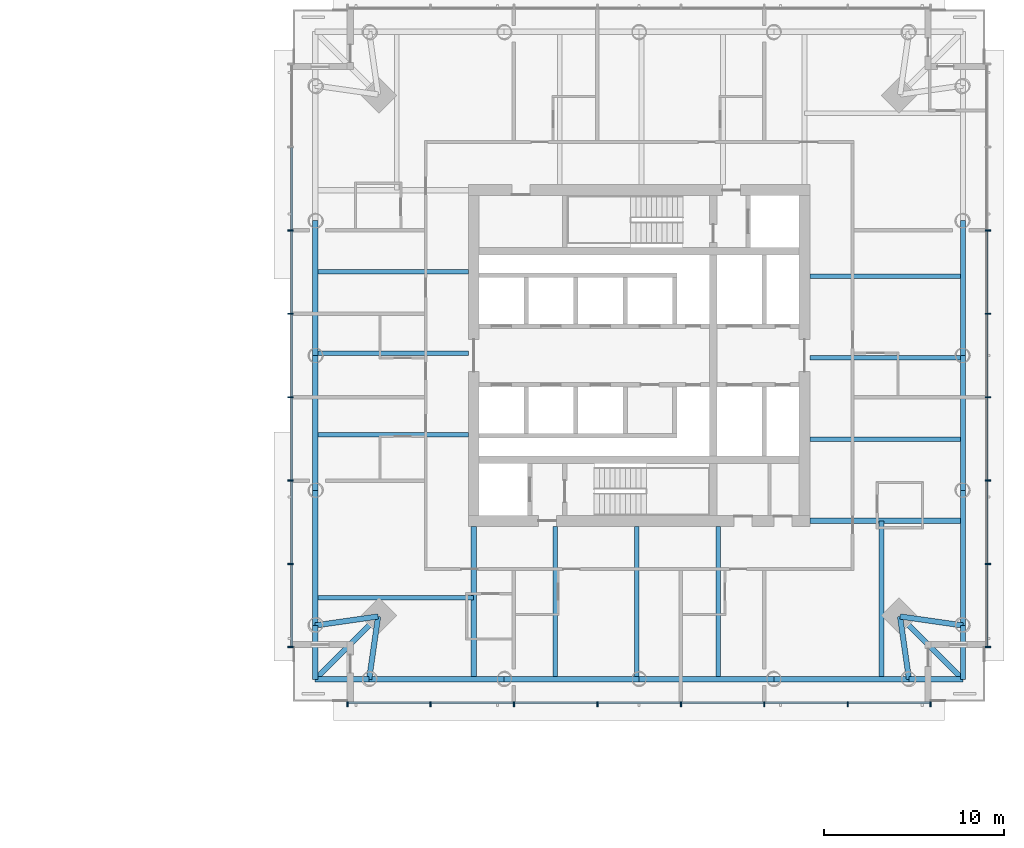
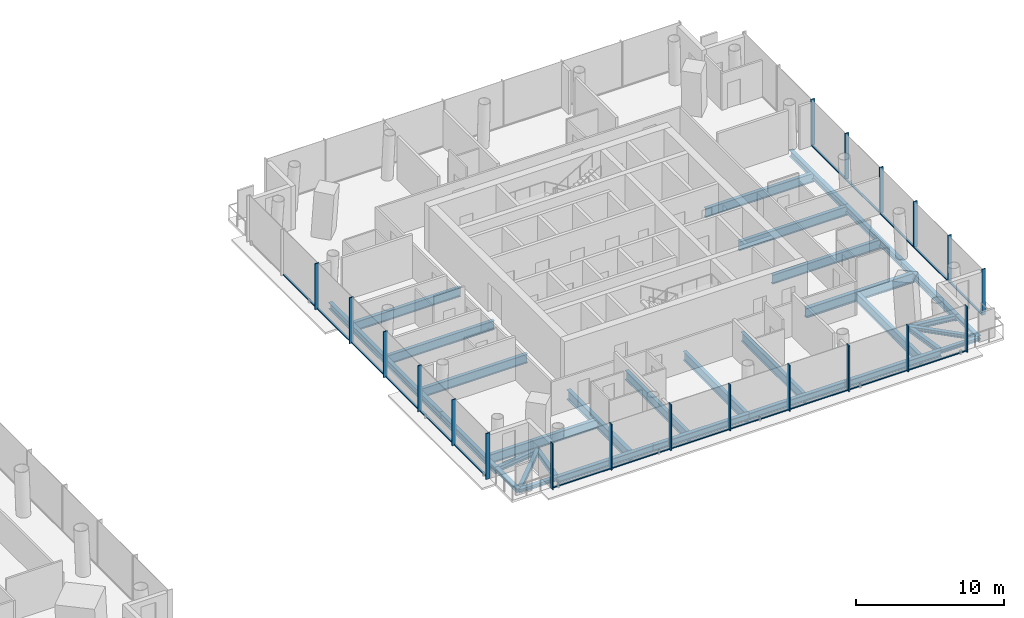
# One storey, part 5 of 21: 38 members, 33 beams, 3 elements without a shape of their own.
"""IFC4 building model written with IfcOpenShell, lengths in metres."""

from ifc_helpers import new_model, si_unit, direction, frame, origin, origin_2d, place, context, subcontext, project, spatial, rectangle, i_section, extrude, material, material_profile, profile_set, type_object, element, aggregate, save


model = new_model("IFC4")

# Units and contexts
model_context = context("Model", 3, precision=1e-05, world=origin(), true_north=direction((0.0, 1.0)))
body_context = subcontext(model_context, "Body", "Model", "MODEL_VIEW")
ifc_project = project(units=[si_unit("LENGTHUNIT", "METRE"), si_unit("AREAUNIT", "SQUARE_METRE"), si_unit("VOLUMEUNIT", "CUBIC_METRE"), si_unit("PLANEANGLEUNIT", "RADIAN"), si_unit("MASSUNIT", "GRAM", prefix="KILO")], contexts=[model_context])

# Site, building, storey
site_placement = place(None, origin())
site = spatial("IfcSite", under=ifc_project, at=site_placement, CompositionType="ELEMENT")
building_placement = place(site_placement, origin())
building = spatial("IfcBuilding", under=site, at=building_placement, Name="Ostroluk Exchange", CompositionType="ELEMENT")
storey_placement = place(building_placement, frame((0.0, 0.0, 43.800048828125)))
storey = spatial("IfcBuildingStorey", under=building, at=storey_placement, Name="L10", CompositionType="ELEMENT", Elevation=43.800048828125)

# Beams
ifc_material_1 = material(Name="Steel S355", Category="steel")
ifc_material_profile_1 = material_profile(ifc_material_1, i_section(OverallWidth=0.300048828125, OverallDepth=0.300048828125, WebThickness=0.010986328125, FlangeThickness=0.01904296875, FilletRadius=0.027099609375, at=origin_2d()), Name="HEB 300")
ifc_profile_set_1 = profile_set([ifc_material_profile_1], Name="Steel S355")
beam_type_1 = type_object("IfcBeamType", Name="Balcony beam HEB 300", PredefinedType="BEAM", material=ifc_profile_set_1)
for number, where, z_axis, x_axis, name in (
    (1, (98.982666015625, 30.982666015625, -0.35009765625), (0.0, -1.0, 0.0), (1.0, 0.0, 0.0), "T2 west balcony beam a"),
    (2, (101.982666015625, 27.982666015625, -0.35009765625), (-1.0, 0.0, 0.0), (0.0, -1.0, 0.0), "T2 west balcony beam b"),
):
    element("IfcBeam", number, at=place(storey_placement, frame(where, z_axis=z_axis, x_axis=x_axis)), inside=storey, type_object=beam_type_1, Name=name, PredefinedType="BEAM", context=body_context, shape_type="SweptSolid", body=[
        extrude(i_section(OverallWidth=0.300048828125, OverallDepth=0.300048828125, WebThickness=0.010986328125, FlangeThickness=0.01904296875, FilletRadius=0.027099609375, at=origin_2d()), origin(), (0.0, 0.0, 1.0), 3.0),
    ])
beam_1_placement = place(storey_placement, frame((102.482666015625, 31.482666015625, -0.35009765625), z_axis=(-0.707106781187, -0.707106781187, 0.0), x_axis=(0.707106781187, -0.707106781187, 0.0)))
element("IfcBeam", 3, at=beam_1_placement, inside=storey, type_object=beam_type_1, Name="T2 west balcony beam c", PredefinedType="BEAM", context=body_context, shape_type="SweptSolid", body=[
    extrude(i_section(OverallWidth=0.300048828125, OverallDepth=0.300048828125, WebThickness=0.010986328125, FlangeThickness=0.01904296875, FilletRadius=0.027099609375, at=origin_2d()), origin(), (0.0, 0.0, 1.0), 4.94970703125),
])
for number, where, z_axis, x_axis, name in (
    (4, (132.017333984375, 27.982666015625, -0.35009765625), (1.0, 0.0, 0.0), (0.0, 1.0, 0.0), "T2 south balcony beam a"),
    (5, (135.017333984375, 30.982666015625, -0.35009765625), (0.0, -1.0, 0.0), (1.0, 0.0, 0.0), "T2 south balcony beam b"),
):
    element("IfcBeam", number, at=place(storey_placement, frame(where, z_axis=z_axis, x_axis=x_axis)), inside=storey, type_object=beam_type_1, Name=name, PredefinedType="BEAM", context=body_context, shape_type="SweptSolid", body=[
        extrude(i_section(OverallWidth=0.300048828125, OverallDepth=0.300048828125, WebThickness=0.010986328125, FlangeThickness=0.01904296875, FilletRadius=0.027099609375, at=origin_2d()), origin(), (0.0, 0.0, 1.0), 3.0),
    ])
beam_2_placement = place(storey_placement, frame((131.517333984375, 31.482666015625, -0.35009765625), z_axis=(0.707106781187, -0.707106781187, 0.0), x_axis=(0.707106781187, 0.707106781187, 0.0)))
element("IfcBeam", 6, at=beam_2_placement, inside=storey, type_object=beam_type_1, Name="T2 south balcony beam c", PredefinedType="BEAM", context=body_context, shape_type="SweptSolid", body=[
    extrude(i_section(OverallWidth=0.300048828125, OverallDepth=0.300048828125, WebThickness=0.010986328125, FlangeThickness=0.01904296875, FilletRadius=0.027099609375, at=origin_2d()), origin(), (0.0, 0.0, 1.0), 4.94970703125),
])
ifc_material_2 = material(Name="Steel S355", Category="steel")
ifc_material_profile_2 = material_profile(ifc_material_2, i_section(OverallWidth=0.300048828125, OverallDepth=0.39990234375, WebThickness=0.013427734375, FlangeThickness=0.02392578125, FilletRadius=0.027099609375, at=origin_2d()), Name="HEB 400")
ifc_profile_set_2 = profile_set([ifc_material_profile_2], Name="Steel S355")
beam_type_2 = type_object("IfcBeamType", Name="Corner edge beam HEB 400", PredefinedType="SPANDREL", material=ifc_profile_set_2)
for number, where, z_axis, x_axis, name in (
    (7, (102.482666015625, 31.482666015625, -0.400146484375), (-0.989949493661, -0.141421356237, 0.0), (0.141421356237, -0.989949493661, 0.0), "T2 west corner edge beam a"),
    (8, (102.482666015625, 31.482666015625, -0.400146484375), (-0.141421356237, -0.989949493661, 0.0), (0.989949493661, -0.141421356237, 0.0), "T2 west corner edge beam b"),
    (9, (131.517333984375, 31.482666015625, -0.400146484375), (0.141421356237, -0.989949493661, 0.0), (0.989949493661, 0.141421356237, 0.0), "T2 south corner edge beam a"),
    (10, (131.517333984375, 31.482666015625, -0.400146484375), (0.989949493661, -0.141421356237, 0.0), (0.141421356237, 0.989949493661, 0.0), "T2 south corner edge beam b"),
):
    element("IfcBeam", number, at=place(storey_placement, frame(where, z_axis=z_axis, x_axis=x_axis)), inside=storey, type_object=beam_type_2, Name=name, PredefinedType="SPANDREL", context=body_context, shape_type="SweptSolid", body=[
        extrude(i_section(OverallWidth=0.300048828125, OverallDepth=0.39990234375, WebThickness=0.013427734375, FlangeThickness=0.02392578125, FilletRadius=0.027099609375, at=origin_2d()), origin(), (0.0, 0.0, 1.0), 3.53564453125),
    ])
ifc_material_3 = material(Name="Steel S355", Category="steel")
ifc_material_profile_3 = material_profile(ifc_material_3, i_section(OverallWidth=0.264892578125, OverallDepth=0.7529296875, WebThickness=0.01318359375, FlangeThickness=0.01708984375, FilletRadius=0.01708984375, at=origin_2d()), Name="IPE 750x147")
ifc_profile_set_3 = profile_set([ifc_material_profile_3], Name="Steel S355")
beam_type_3 = type_object("IfcBeamType", Name="Floor beam IPE 750x147", PredefinedType="BEAM", material=ifc_profile_set_3)
for number, where, z_axis, x_axis, name in (
    (11, (126.5, 41.336181640625, -0.57666015625), (1.0, 0.0, 0.0), (0.0, 1.0, 0.0), "T2 east floor beam 1"),
    (12, (126.5, 45.872314453125, -0.57666015625), (1.0, 0.0, 0.0), (0.0, 1.0, 0.0), "T2 east floor beam 2"),
    (13, (126.5, 50.40869140625, -0.57666015625), (1.0, 0.0, 0.0), (0.0, 1.0, 0.0), "T2 east floor beam 3"),
    (14, (107.5, 50.663818359375, -0.57666015625), (-1.0, 0.0, 0.0), (0.0, -1.0, 0.0), "T2 west floor beam 1"),
    (15, (107.5, 46.127685546875, -0.57666015625), (-1.0, 0.0, 0.0), (0.0, -1.0, 0.0), "T2 west floor beam 2"),
    (16, (107.5, 41.59130859375, -0.57666015625), (-1.0, 0.0, 0.0), (0.0, -1.0, 0.0), "T2 west floor beam 3"),
):
    element("IfcBeam", number, at=place(storey_placement, frame(where, z_axis=z_axis, x_axis=x_axis)), inside=storey, type_object=beam_type_3, Name=name, PredefinedType="BEAM", context=body_context, shape_type="SweptSolid", body=[
        extrude(i_section(OverallWidth=0.264892578125, OverallDepth=0.7529296875, WebThickness=0.01318359375, FlangeThickness=0.01708984375, FilletRadius=0.01708984375, at=origin_2d()), origin(), (0.0, 0.0, 1.0), 8.517333984375),
    ])
beam_3_placement = place(storey_placement, frame((107.800048828125, 32.51904296875, -0.57666015625), z_axis=(-1.0, 0.0, 0.0), x_axis=(0.0, -1.0, 0.0)))
element("IfcBeam", 17, at=beam_3_placement, inside=storey, type_object=beam_type_3, Name="T2 west floor beam 5", PredefinedType="BEAM", context=body_context, shape_type="SweptSolid", body=[
    extrude(i_section(OverallWidth=0.264892578125, OverallDepth=0.7529296875, WebThickness=0.01318359375, FlangeThickness=0.01708984375, FilletRadius=0.01708984375, at=origin_2d()), origin(), (0.0, 0.0, 1.0), 8.8173828125),
])
for number, where, z_axis, x_axis, name in (
    (18, (112.336181640625, 36.5, -0.57666015625), (0.0, -1.0, 0.0), (1.0, 0.0, 0.0), "T2 south floor beam 1"),
    (19, (116.872314453125, 36.5, -0.57666015625), (0.0, -1.0, 0.0), (1.0, 0.0, 0.0), "T2 south floor beam 2"),
    (20, (121.40869140625, 36.5, -0.57666015625), (0.0, -1.0, 0.0), (1.0, 0.0, 0.0), "T2 south floor beam 3"),
):
    element("IfcBeam", number, at=place(storey_placement, frame(where, z_axis=z_axis, x_axis=x_axis)), inside=storey, type_object=beam_type_3, Name=name, PredefinedType="BEAM", context=body_context, shape_type="SweptSolid", body=[
        extrude(i_section(OverallWidth=0.264892578125, OverallDepth=0.7529296875, WebThickness=0.01318359375, FlangeThickness=0.01708984375, FilletRadius=0.01708984375, at=origin_2d()), origin(), (0.0, 0.0, 1.0), 8.517333984375),
    ])
beam_4_placement = place(storey_placement, frame((130.48095703125, 36.800048828125, -0.57666015625), z_axis=(0.0, -1.0, 0.0), x_axis=(1.0, 0.0, 0.0)))
element("IfcBeam", 21, at=beam_4_placement, inside=storey, type_object=beam_type_3, Name="T2 south floor beam 5", PredefinedType="BEAM", context=body_context, shape_type="SweptSolid", body=[
    extrude(i_section(OverallWidth=0.264892578125, OverallDepth=0.7529296875, WebThickness=0.01318359375, FlangeThickness=0.01708984375, FilletRadius=0.01708984375, at=origin_2d()), origin(), (0.0, 0.0, 1.0), 8.8173828125),
])
ifc_material_4 = material(Name="Steel S355", Category="steel")
ifc_material_profile_4 = material_profile(ifc_material_4, i_section(OverallWidth=0.300048828125, OverallDepth=0.800048828125, WebThickness=0.017578125, FlangeThickness=0.032958984375, FilletRadius=0.030029296875, at=origin_2d()), Name="HEB 800")
ifc_profile_set_4 = profile_set([ifc_material_profile_4], Name="Steel S355")
beam_type_4 = type_object("IfcBeamType", Name="Girder HEB 800", PredefinedType="BEAM", material=ifc_profile_set_4)
for number, where, z_axis, x_axis, name in (
    (22, (107.800048828125, 36.5, -0.60009765625), (0.0, -1.0, 0.0), (1.0, 0.0, 0.0), "T2 west girder"),
    (23, (126.5, 36.800048828125, -0.60009765625), (1.0, 0.0, 0.0), (0.0, 1.0, 0.0), "T2 south girder"),
):
    element("IfcBeam", number, at=place(storey_placement, frame(where, z_axis=z_axis, x_axis=x_axis)), inside=storey, type_object=beam_type_4, Name=name, PredefinedType="BEAM", context=body_context, shape_type="SweptSolid", body=[
        extrude(i_section(OverallWidth=0.300048828125, OverallDepth=0.800048828125, WebThickness=0.017578125, FlangeThickness=0.032958984375, FilletRadius=0.030029296875, at=origin_2d()), origin(), (0.0, 0.0, 1.0), 8.517333984375),
    ])
ifc_material_5 = material(Name="Steel S355", Category="steel")
ifc_material_profile_5 = material_profile(ifc_material_5, i_section(OverallWidth=0.300048828125, OverallDepth=0.550048828125, WebThickness=0.014892578125, FlangeThickness=0.029052734375, FilletRadius=0.027099609375, at=origin_2d()), Name="HEB 550")
ifc_profile_set_5 = profile_set([ifc_material_profile_5], Name="Steel S355")
beam_type_5 = type_object("IfcBeamType", Name="Moment-connected edge beam HEB 550", PredefinedType="SPANDREL", material=ifc_profile_set_5)
beam_5_placement = place(storey_placement, frame((135.017333984375, 30.982666015625, -0.47509765625), z_axis=(0.0, 1.0, 0.0), x_axis=(-1.0, 0.0, 0.0)))
element("IfcBeam", 24, at=beam_5_placement, inside=storey, type_object=beam_type_5, Name="T2 east edge beam 1", PredefinedType="SPANDREL", context=body_context, shape_type="SweptSolid", body=[
    extrude(i_section(OverallWidth=0.300048828125, OverallDepth=0.550048828125, WebThickness=0.014892578125, FlangeThickness=0.029052734375, FilletRadius=0.027099609375, at=origin_2d()), origin(), (0.0, 0.0, 1.0), 7.5087890625),
])
for number, where, z_axis, x_axis, name in (
    (25, (135.017333984375, 38.491455078125, -0.47509765625), (0.0, 1.0, 0.0), (-1.0, 0.0, 0.0), "T2 east edge beam 2"),
    (26, (135.017333984375, 46.0, -0.47509765625), (0.0, 1.0, 0.0), (-1.0, 0.0, 0.0), "T2 east edge beam 3"),
    (27, (98.982666015625, 53.508544921875, -0.47509765625), (0.0, -1.0, 0.0), (1.0, 0.0, 0.0), "T2 west edge beam 2"),
    (28, (98.982666015625, 46.0, -0.47509765625), (0.0, -1.0, 0.0), (1.0, 0.0, 0.0), "T2 west edge beam 3"),
):
    element("IfcBeam", number, at=place(storey_placement, frame(where, z_axis=z_axis, x_axis=x_axis)), inside=storey, type_object=beam_type_5, Name=name, PredefinedType="SPANDREL", context=body_context, shape_type="SweptSolid", body=[
        extrude(i_section(OverallWidth=0.300048828125, OverallDepth=0.550048828125, WebThickness=0.014892578125, FlangeThickness=0.029052734375, FilletRadius=0.027099609375, at=origin_2d()), origin(), (0.0, 0.0, 1.0), 7.508544921875),
    ])
for number, where, z_axis, x_axis, name in (
    (29, (98.982666015625, 38.491455078125, -0.47509765625), (0.0, -1.0, 0.0), (1.0, 0.0, 0.0), "T2 west edge beam 4"),
    (30, (101.982666015625, 27.982666015625, -0.47509765625), (1.0, 0.0, 0.0), (0.0, 1.0, 0.0), "T2 south edge beam 1"),
):
    element("IfcBeam", number, at=place(storey_placement, frame(where, z_axis=z_axis, x_axis=x_axis)), inside=storey, type_object=beam_type_5, Name=name, PredefinedType="SPANDREL", context=body_context, shape_type="SweptSolid", body=[
        extrude(i_section(OverallWidth=0.300048828125, OverallDepth=0.550048828125, WebThickness=0.014892578125, FlangeThickness=0.029052734375, FilletRadius=0.027099609375, at=origin_2d()), origin(), (0.0, 0.0, 1.0), 7.5087890625),
    ])
for number, where, z_axis, x_axis, name in (
    (31, (109.491455078125, 27.982666015625, -0.47509765625), (1.0, 0.0, 0.0), (0.0, 1.0, 0.0), "T2 south edge beam 2"),
    (32, (117.0, 27.982666015625, -0.47509765625), (1.0, 0.0, 0.0), (0.0, 1.0, 0.0), "T2 south edge beam 3"),
):
    element("IfcBeam", number, at=place(storey_placement, frame(where, z_axis=z_axis, x_axis=x_axis)), inside=storey, type_object=beam_type_5, Name=name, PredefinedType="SPANDREL", context=body_context, shape_type="SweptSolid", body=[
        extrude(i_section(OverallWidth=0.300048828125, OverallDepth=0.550048828125, WebThickness=0.014892578125, FlangeThickness=0.029052734375, FilletRadius=0.027099609375, at=origin_2d()), origin(), (0.0, 0.0, 1.0), 7.508544921875),
    ])
beam_6_placement = place(storey_placement, frame((124.508544921875, 27.982666015625, -0.47509765625), z_axis=(1.0, 0.0, 0.0), x_axis=(0.0, 1.0, 0.0)))
element("IfcBeam", 33, at=beam_6_placement, inside=storey, type_object=beam_type_5, Name="T2 south edge beam 4", PredefinedType="SPANDREL", context=body_context, shape_type="SweptSolid", body=[
    extrude(i_section(OverallWidth=0.300048828125, OverallDepth=0.550048828125, WebThickness=0.014892578125, FlangeThickness=0.029052734375, FilletRadius=0.027099609375, at=origin_2d()), origin(), (0.0, 0.0, 1.0), 7.5087890625),
])

# Curtain wall, members
ifc_material_6 = material(Name="Laminated clear glass", Category="glass")
curtain_wall_type = type_object("IfcCurtainWallType", Name="Hotel guest floor facade", PredefinedType="USERDEFINED", material=ifc_material_6)
curtain_wall_1_placement = place(storey_placement, origin())
curtain_wall_1 = element("IfcCurtainWall", 34, at=curtain_wall_1_placement, inside=storey, type_object=curtain_wall_type, Name="Hotel tower south facade L10", ObjectType="UNITISED CURTAIN WALL", PredefinedType="USERDEFINED")
ifc_material_7 = material(Name="Aluminium mullion", Category="aluminium")
ifc_material_profile_6 = material_profile(ifc_material_7, rectangle(XDim=0.14990234375, YDim=0.080078125, at=origin_2d()), Name="Sill transom 80 x 150")
ifc_profile_set_6 = profile_set([ifc_material_profile_6], Name="Aluminium mullion")
member_type_1 = type_object("IfcMemberType", Name="Sill transom 80 x 150", PredefinedType="USERDEFINED", material=ifc_profile_set_6)
member_1_placement = place(storey_placement, frame((100.830078125, 26.675048828125, 0.0400390625), z_axis=(1.0, 0.0, 0.0), x_axis=(0.0, 1.0, 0.0)))
member_1 = element("IfcMember", 35, at=member_1_placement, type_object=member_type_1, Name="CW-H1 transom 1.1", ObjectType="TRANSOM", PredefinedType="USERDEFINED", context=body_context, shape_type="SweptSolid", body=[
    extrude(rectangle(XDim=0.14990234375, YDim=0.080078125, at=origin_2d()), origin(), (0.0, 0.0, 1.0), 4.522705078125),
])
member_2_placement = place(storey_placement, frame((105.432861328125, 26.675048828125, 0.0400390625), z_axis=(1.0, 0.0, 0.0), x_axis=(0.0, 1.0, 0.0)))
member_2 = element("IfcMember", 36, at=member_2_placement, type_object=member_type_1, Name="CW-H1 transom 2.1", ObjectType="TRANSOM", PredefinedType="USERDEFINED", context=body_context, shape_type="SweptSolid", body=[
    extrude(rectangle(XDim=0.14990234375, YDim=0.080078125, at=origin_2d()), origin(), (0.0, 0.0, 1.0), 4.562744140625),
])
member_3_placement = place(storey_placement, frame((110.07568359375, 26.675048828125, 0.0400390625), z_axis=(1.0, 0.0, 0.0), x_axis=(0.0, 1.0, 0.0)))
member_3 = element("IfcMember", 37, at=member_3_placement, type_object=member_type_1, Name="CW-H1 transom 3.1", ObjectType="TRANSOM", PredefinedType="USERDEFINED", context=body_context, shape_type="SweptSolid", body=[
    extrude(rectangle(XDim=0.14990234375, YDim=0.080078125, at=origin_2d()), origin(), (0.0, 0.0, 1.0), 4.56298828125),
])
member_4_placement = place(storey_placement, frame((114.718505859375, 26.675048828125, 0.0400390625), z_axis=(1.0, 0.0, 0.0), x_axis=(0.0, 1.0, 0.0)))
member_4 = element("IfcMember", 38, at=member_4_placement, type_object=member_type_1, Name="CW-H1 transom 4.1", ObjectType="TRANSOM", PredefinedType="USERDEFINED", context=body_context, shape_type="SweptSolid", body=[
    extrude(rectangle(XDim=0.14990234375, YDim=0.080078125, at=origin_2d()), origin(), (0.0, 0.0, 1.0), 4.56298828125),
])
member_5_placement = place(storey_placement, frame((119.361328125, 26.675048828125, 0.0400390625), z_axis=(1.0, 0.0, 0.0), x_axis=(0.0, 1.0, 0.0)))
member_5 = element("IfcMember", 39, at=member_5_placement, type_object=member_type_1, Name="CW-H1 transom 5.1", ObjectType="TRANSOM", PredefinedType="USERDEFINED", context=body_context, shape_type="SweptSolid", body=[
    extrude(rectangle(XDim=0.14990234375, YDim=0.080078125, at=origin_2d()), origin(), (0.0, 0.0, 1.0), 4.56298828125),
])
member_6_placement = place(storey_placement, frame((124.00439453125, 26.675048828125, 0.0400390625), z_axis=(1.0, 0.0, 0.0), x_axis=(0.0, 1.0, 0.0)))
member_6 = element("IfcMember", 40, at=member_6_placement, type_object=member_type_1, Name="CW-H1 transom 6.1", ObjectType="TRANSOM", PredefinedType="USERDEFINED", context=body_context, shape_type="SweptSolid", body=[
    extrude(rectangle(XDim=0.14990234375, YDim=0.080078125, at=origin_2d()), origin(), (0.0, 0.0, 1.0), 4.562744140625),
])
member_7_placement = place(storey_placement, frame((128.647216796875, 26.675048828125, 0.0400390625), z_axis=(1.0, 0.0, 0.0), x_axis=(0.0, 1.0, 0.0)))
member_7 = element("IfcMember", 41, at=member_7_placement, type_object=member_type_1, Name="CW-H1 transom 7.1", ObjectType="TRANSOM", PredefinedType="USERDEFINED", context=body_context, shape_type="SweptSolid", body=[
    extrude(rectangle(XDim=0.14990234375, YDim=0.080078125, at=origin_2d()), origin(), (0.0, 0.0, 1.0), 4.522705078125),
])

curtain_wall_2_placement = place(storey_placement, origin())
curtain_wall_2 = element("IfcCurtainWall", 42, at=curtain_wall_2_placement, inside=storey, type_object=curtain_wall_type, Name="Hotel tower east facade L10", ObjectType="UNITISED CURTAIN WALL", PredefinedType="USERDEFINED")
member_8_placement = place(storey_placement, frame((136.324951171875, 29.830078125, 0.0400390625), z_axis=(0.0, 1.0, 0.0), x_axis=(-1.0, 0.0, 0.0)))
member_8 = element("IfcMember", 43, at=member_8_placement, type_object=member_type_1, Name="CW-H1 transom 1.1", ObjectType="TRANSOM", PredefinedType="USERDEFINED", context=body_context, shape_type="SweptSolid", body=[
    extrude(rectangle(XDim=0.14990234375, YDim=0.080078125, at=origin_2d()), origin(), (0.0, 0.0, 1.0), 4.522705078125),
])
member_9_placement = place(storey_placement, frame((136.324951171875, 34.432861328125, 0.0400390625), z_axis=(0.0, 1.0, 0.0), x_axis=(-1.0, 0.0, 0.0)))
member_9 = element("IfcMember", 44, at=member_9_placement, type_object=member_type_1, Name="CW-H1 transom 2.1", ObjectType="TRANSOM", PredefinedType="USERDEFINED", context=body_context, shape_type="SweptSolid", body=[
    extrude(rectangle(XDim=0.14990234375, YDim=0.080078125, at=origin_2d()), origin(), (0.0, 0.0, 1.0), 4.562744140625),
])
member_10_placement = place(storey_placement, frame((136.324951171875, 39.07568359375, 0.0400390625), z_axis=(0.0, 1.0, 0.0), x_axis=(-1.0, 0.0, 0.0)))
member_10 = element("IfcMember", 45, at=member_10_placement, type_object=member_type_1, Name="CW-H1 transom 3.1", ObjectType="TRANSOM", PredefinedType="USERDEFINED", context=body_context, shape_type="SweptSolid", body=[
    extrude(rectangle(XDim=0.14990234375, YDim=0.080078125, at=origin_2d()), origin(), (0.0, 0.0, 1.0), 4.56298828125),
])
member_11_placement = place(storey_placement, frame((136.324951171875, 43.718505859375, 0.0400390625), z_axis=(0.0, 1.0, 0.0), x_axis=(-1.0, 0.0, 0.0)))
member_11 = element("IfcMember", 46, at=member_11_placement, type_object=member_type_1, Name="CW-H1 transom 4.1", ObjectType="TRANSOM", PredefinedType="USERDEFINED", context=body_context, shape_type="SweptSolid", body=[
    extrude(rectangle(XDim=0.14990234375, YDim=0.080078125, at=origin_2d()), origin(), (0.0, 0.0, 1.0), 4.56298828125),
])
member_12_placement = place(storey_placement, frame((136.324951171875, 48.361328125, 0.0400390625), z_axis=(0.0, 1.0, 0.0), x_axis=(-1.0, 0.0, 0.0)))
member_12 = element("IfcMember", 47, at=member_12_placement, type_object=member_type_1, Name="CW-H1 transom 5.1", ObjectType="TRANSOM", PredefinedType="USERDEFINED", context=body_context, shape_type="SweptSolid", body=[
    extrude(rectangle(XDim=0.14990234375, YDim=0.080078125, at=origin_2d()), origin(), (0.0, 0.0, 1.0), 4.56298828125),
])

curtain_wall_3_placement = place(storey_placement, origin())
curtain_wall_3 = element("IfcCurtainWall", 48, at=curtain_wall_3_placement, inside=storey, type_object=curtain_wall_type, Name="Hotel tower west facade L10", ObjectType="UNITISED CURTAIN WALL", PredefinedType="USERDEFINED")
member_13_placement = place(storey_placement, frame((97.675048828125, 57.567138671875, 0.0400390625), z_axis=(0.0, -1.0, 0.0), x_axis=(1.0, 0.0, 0.0)))
member_13 = element("IfcMember", 49, at=member_13_placement, type_object=member_type_1, Name="CW-H1 transom 2.1", ObjectType="TRANSOM", PredefinedType="USERDEFINED", context=body_context, shape_type="SweptSolid", body=[
    extrude(rectangle(XDim=0.14990234375, YDim=0.080078125, at=origin_2d()), origin(), (0.0, 0.0, 1.0), 4.562744140625),
])
member_14_placement = place(storey_placement, frame((97.675048828125, 52.92431640625, 0.0400390625), z_axis=(0.0, -1.0, 0.0), x_axis=(1.0, 0.0, 0.0)))
member_14 = element("IfcMember", 50, at=member_14_placement, type_object=member_type_1, Name="CW-H1 transom 3.1", ObjectType="TRANSOM", PredefinedType="USERDEFINED", context=body_context, shape_type="SweptSolid", body=[
    extrude(rectangle(XDim=0.14990234375, YDim=0.080078125, at=origin_2d()), origin(), (0.0, 0.0, 1.0), 4.56298828125),
])
member_15_placement = place(storey_placement, frame((97.675048828125, 48.281494140625, 0.0400390625), z_axis=(0.0, -1.0, 0.0), x_axis=(1.0, 0.0, 0.0)))
member_15 = element("IfcMember", 51, at=member_15_placement, type_object=member_type_1, Name="CW-H1 transom 4.1", ObjectType="TRANSOM", PredefinedType="USERDEFINED", context=body_context, shape_type="SweptSolid", body=[
    extrude(rectangle(XDim=0.14990234375, YDim=0.080078125, at=origin_2d()), origin(), (0.0, 0.0, 1.0), 4.56298828125),
])
member_16_placement = place(storey_placement, frame((97.675048828125, 43.638671875, 0.0400390625), z_axis=(0.0, -1.0, 0.0), x_axis=(1.0, 0.0, 0.0)))
member_16 = element("IfcMember", 52, at=member_16_placement, type_object=member_type_1, Name="CW-H1 transom 5.1", ObjectType="TRANSOM", PredefinedType="USERDEFINED", context=body_context, shape_type="SweptSolid", body=[
    extrude(rectangle(XDim=0.14990234375, YDim=0.080078125, at=origin_2d()), origin(), (0.0, 0.0, 1.0), 4.56298828125),
])
member_17_placement = place(storey_placement, frame((97.675048828125, 38.99560546875, 0.0400390625), z_axis=(0.0, -1.0, 0.0), x_axis=(1.0, 0.0, 0.0)))
member_17 = element("IfcMember", 53, at=member_17_placement, type_object=member_type_1, Name="CW-H1 transom 6.1", ObjectType="TRANSOM", PredefinedType="USERDEFINED", context=body_context, shape_type="SweptSolid", body=[
    extrude(rectangle(XDim=0.14990234375, YDim=0.080078125, at=origin_2d()), origin(), (0.0, 0.0, 1.0), 4.562744140625),
])
member_18_placement = place(storey_placement, frame((97.675048828125, 34.352783203125, 0.0400390625), z_axis=(0.0, -1.0, 0.0), x_axis=(1.0, 0.0, 0.0)))
member_18 = element("IfcMember", 54, at=member_18_placement, type_object=member_type_1, Name="CW-H1 transom 7.1", ObjectType="TRANSOM", PredefinedType="USERDEFINED", context=body_context, shape_type="SweptSolid", body=[
    extrude(rectangle(XDim=0.14990234375, YDim=0.080078125, at=origin_2d()), origin(), (0.0, 0.0, 1.0), 4.522705078125),
])

# Member
ifc_material_8 = material(Name="Aluminium mullion with limestone facing", Category="masonry")
ifc_material_profile_7 = material_profile(ifc_material_8, rectangle(XDim=0.300048828125, YDim=0.080078125, at=origin_2d()), Name="Tracery mullion 80 x 300")
ifc_profile_set_7 = profile_set([ifc_material_profile_7], Name="Aluminium mullion with limestone facing")
member_type_2 = type_object("IfcMemberType", Name="Tracery mullion 80 x 300", PredefinedType="MULLION", material=ifc_profile_set_7)
member_19_placement = place(storey_placement, frame((100.7900390625, 26.60009765625, 0.0), z_axis=(0.0, 0.0, 1.0), x_axis=(0.0, 1.0, 0.0)))
member_19 = element("IfcMember", 55, at=member_19_placement, type_object=member_type_2, Name="CW-H1 mullion 1", PredefinedType="MULLION", context=body_context, shape_type="SweptSolid", body=[
    extrude(rectangle(XDim=0.300048828125, YDim=0.080078125, at=origin_2d()), origin(), (0.0, 0.0, 1.0), 3.800048828125),
])

member_20_placement = place(storey_placement, frame((105.392822265625, 26.60009765625, 0.0), z_axis=(0.0, 0.0, 1.0), x_axis=(0.0, 1.0, 0.0)))
member_20 = element("IfcMember", 56, at=member_20_placement, type_object=member_type_2, Name="CW-H1 mullion 2", PredefinedType="MULLION", context=body_context, shape_type="SweptSolid", body=[
    extrude(rectangle(XDim=0.300048828125, YDim=0.080078125, at=origin_2d()), origin(), (0.0, 0.0, 1.0), 3.800048828125),
])

member_21_placement = place(storey_placement, frame((110.03564453125, 26.60009765625, 0.0), z_axis=(0.0, 0.0, 1.0), x_axis=(0.0, 1.0, 0.0)))
member_21 = element("IfcMember", 57, at=member_21_placement, type_object=member_type_2, Name="CW-H1 mullion 3", PredefinedType="MULLION", context=body_context, shape_type="SweptSolid", body=[
    extrude(rectangle(XDim=0.300048828125, YDim=0.080078125, at=origin_2d()), origin(), (0.0, 0.0, 1.0), 3.800048828125),
])

member_22_placement = place(storey_placement, frame((114.678466796875, 26.60009765625, 0.0), z_axis=(0.0, 0.0, 1.0), x_axis=(0.0, 1.0, 0.0)))
member_22 = element("IfcMember", 58, at=member_22_placement, type_object=member_type_2, Name="CW-H1 mullion 4", PredefinedType="MULLION", context=body_context, shape_type="SweptSolid", body=[
    extrude(rectangle(XDim=0.300048828125, YDim=0.080078125, at=origin_2d()), origin(), (0.0, 0.0, 1.0), 3.800048828125),
])

member_23_placement = place(storey_placement, frame((119.321533203125, 26.60009765625, 0.0), z_axis=(0.0, 0.0, 1.0), x_axis=(0.0, 1.0, 0.0)))
member_23 = element("IfcMember", 59, at=member_23_placement, type_object=member_type_2, Name="CW-H1 mullion 5", PredefinedType="MULLION", context=body_context, shape_type="SweptSolid", body=[
    extrude(rectangle(XDim=0.300048828125, YDim=0.080078125, at=origin_2d()), origin(), (0.0, 0.0, 1.0), 3.800048828125),
])

member_24_placement = place(storey_placement, frame((123.96435546875, 26.60009765625, 0.0), z_axis=(0.0, 0.0, 1.0), x_axis=(0.0, 1.0, 0.0)))
member_24 = element("IfcMember", 60, at=member_24_placement, type_object=member_type_2, Name="CW-H1 mullion 6", PredefinedType="MULLION", context=body_context, shape_type="SweptSolid", body=[
    extrude(rectangle(XDim=0.300048828125, YDim=0.080078125, at=origin_2d()), origin(), (0.0, 0.0, 1.0), 3.800048828125),
])

member_25_placement = place(storey_placement, frame((128.607177734375, 26.60009765625, 0.0), z_axis=(0.0, 0.0, 1.0), x_axis=(0.0, 1.0, 0.0)))
member_25 = element("IfcMember", 61, at=member_25_placement, type_object=member_type_2, Name="CW-H1 mullion 7", PredefinedType="MULLION", context=body_context, shape_type="SweptSolid", body=[
    extrude(rectangle(XDim=0.300048828125, YDim=0.080078125, at=origin_2d()), origin(), (0.0, 0.0, 1.0), 3.800048828125),
])

member_26_placement = place(storey_placement, frame((133.2099609375, 26.60009765625, 0.0), z_axis=(0.0, 0.0, 1.0), x_axis=(0.0, 1.0, 0.0)))
member_26 = element("IfcMember", 62, at=member_26_placement, type_object=member_type_2, Name="CW-H1 mullion 8", PredefinedType="MULLION", context=body_context, shape_type="SweptSolid", body=[
    extrude(rectangle(XDim=0.300048828125, YDim=0.080078125, at=origin_2d()), origin(), (0.0, 0.0, 1.0), 3.800048828125),
])

aggregate(curtain_wall_1, [member_19, member_20, member_21, member_22, member_23, member_24, member_25, member_26, member_1, member_2, member_3, member_4, member_5, member_6, member_7])

member_27_placement = place(storey_placement, frame((136.39990234375, 29.7900390625, 0.0), z_axis=(0.0, 0.0, 1.0), x_axis=(-1.0, 0.0, 0.0)))
member_27 = element("IfcMember", 63, at=member_27_placement, type_object=member_type_2, Name="CW-H1 mullion 1", PredefinedType="MULLION", context=body_context, shape_type="SweptSolid", body=[
    extrude(rectangle(XDim=0.300048828125, YDim=0.080078125, at=origin_2d()), origin(), (0.0, 0.0, 1.0), 3.800048828125),
])

member_28_placement = place(storey_placement, frame((136.39990234375, 34.392822265625, 0.0), z_axis=(0.0, 0.0, 1.0), x_axis=(-1.0, 0.0, 0.0)))
member_28 = element("IfcMember", 64, at=member_28_placement, type_object=member_type_2, Name="CW-H1 mullion 2", PredefinedType="MULLION", context=body_context, shape_type="SweptSolid", body=[
    extrude(rectangle(XDim=0.300048828125, YDim=0.080078125, at=origin_2d()), origin(), (0.0, 0.0, 1.0), 3.800048828125),
])

member_29_placement = place(storey_placement, frame((136.39990234375, 39.03564453125, 0.0), z_axis=(0.0, 0.0, 1.0), x_axis=(-1.0, 0.0, 0.0)))
member_29 = element("IfcMember", 65, at=member_29_placement, type_object=member_type_2, Name="CW-H1 mullion 3", PredefinedType="MULLION", context=body_context, shape_type="SweptSolid", body=[
    extrude(rectangle(XDim=0.300048828125, YDim=0.080078125, at=origin_2d()), origin(), (0.0, 0.0, 1.0), 3.800048828125),
])

member_30_placement = place(storey_placement, frame((136.39990234375, 43.678466796875, 0.0), z_axis=(0.0, 0.0, 1.0), x_axis=(-1.0, 0.0, 0.0)))
member_30 = element("IfcMember", 66, at=member_30_placement, type_object=member_type_2, Name="CW-H1 mullion 4", PredefinedType="MULLION", context=body_context, shape_type="SweptSolid", body=[
    extrude(rectangle(XDim=0.300048828125, YDim=0.080078125, at=origin_2d()), origin(), (0.0, 0.0, 1.0), 3.800048828125),
])

member_31_placement = place(storey_placement, frame((136.39990234375, 48.321533203125, 0.0), z_axis=(0.0, 0.0, 1.0), x_axis=(-1.0, 0.0, 0.0)))
member_31 = element("IfcMember", 67, at=member_31_placement, type_object=member_type_2, Name="CW-H1 mullion 5", PredefinedType="MULLION", context=body_context, shape_type="SweptSolid", body=[
    extrude(rectangle(XDim=0.300048828125, YDim=0.080078125, at=origin_2d()), origin(), (0.0, 0.0, 1.0), 3.800048828125),
])

member_32_placement = place(storey_placement, frame((136.39990234375, 52.96435546875, 0.0), z_axis=(0.0, 0.0, 1.0), x_axis=(-1.0, 0.0, 0.0)))
member_32 = element("IfcMember", 68, at=member_32_placement, type_object=member_type_2, Name="CW-H1 mullion 6", PredefinedType="MULLION", context=body_context, shape_type="SweptSolid", body=[
    extrude(rectangle(XDim=0.300048828125, YDim=0.080078125, at=origin_2d()), origin(), (0.0, 0.0, 1.0), 3.800048828125),
])

aggregate(curtain_wall_2, [member_27, member_28, member_29, member_30, member_31, member_32, member_8, member_9, member_10, member_11, member_12])

member_33_placement = place(storey_placement, frame((97.60009765625, 52.96435546875, 0.0), z_axis=(0.0, 0.0, 1.0), x_axis=(1.0, 0.0, 0.0)))
member_33 = element("IfcMember", 69, at=member_33_placement, type_object=member_type_2, Name="CW-H1 mullion 3", PredefinedType="MULLION", context=body_context, shape_type="SweptSolid", body=[
    extrude(rectangle(XDim=0.300048828125, YDim=0.080078125, at=origin_2d()), origin(), (0.0, 0.0, 1.0), 3.800048828125),
])

member_34_placement = place(storey_placement, frame((97.60009765625, 48.321533203125, 0.0), z_axis=(0.0, 0.0, 1.0), x_axis=(1.0, 0.0, 0.0)))
member_34 = element("IfcMember", 70, at=member_34_placement, type_object=member_type_2, Name="CW-H1 mullion 4", PredefinedType="MULLION", context=body_context, shape_type="SweptSolid", body=[
    extrude(rectangle(XDim=0.300048828125, YDim=0.080078125, at=origin_2d()), origin(), (0.0, 0.0, 1.0), 3.800048828125),
])

member_35_placement = place(storey_placement, frame((97.60009765625, 43.678466796875, 0.0), z_axis=(0.0, 0.0, 1.0), x_axis=(1.0, 0.0, 0.0)))
member_35 = element("IfcMember", 71, at=member_35_placement, type_object=member_type_2, Name="CW-H1 mullion 5", PredefinedType="MULLION", context=body_context, shape_type="SweptSolid", body=[
    extrude(rectangle(XDim=0.300048828125, YDim=0.080078125, at=origin_2d()), origin(), (0.0, 0.0, 1.0), 3.800048828125),
])

member_36_placement = place(storey_placement, frame((97.60009765625, 39.03564453125, 0.0), z_axis=(0.0, 0.0, 1.0), x_axis=(1.0, 0.0, 0.0)))
member_36 = element("IfcMember", 72, at=member_36_placement, type_object=member_type_2, Name="CW-H1 mullion 6", PredefinedType="MULLION", context=body_context, shape_type="SweptSolid", body=[
    extrude(rectangle(XDim=0.300048828125, YDim=0.080078125, at=origin_2d()), origin(), (0.0, 0.0, 1.0), 3.800048828125),
])

member_37_placement = place(storey_placement, frame((97.60009765625, 34.392822265625, 0.0), z_axis=(0.0, 0.0, 1.0), x_axis=(1.0, 0.0, 0.0)))
member_37 = element("IfcMember", 73, at=member_37_placement, type_object=member_type_2, Name="CW-H1 mullion 7", PredefinedType="MULLION", context=body_context, shape_type="SweptSolid", body=[
    extrude(rectangle(XDim=0.300048828125, YDim=0.080078125, at=origin_2d()), origin(), (0.0, 0.0, 1.0), 3.800048828125),
])

member_38_placement = place(storey_placement, frame((97.60009765625, 29.7900390625, 0.0), z_axis=(0.0, 0.0, 1.0), x_axis=(1.0, 0.0, 0.0)))
member_38 = element("IfcMember", 74, at=member_38_placement, type_object=member_type_2, Name="CW-H1 mullion 8", PredefinedType="MULLION", context=body_context, shape_type="SweptSolid", body=[
    extrude(rectangle(XDim=0.300048828125, YDim=0.080078125, at=origin_2d()), origin(), (0.0, 0.0, 1.0), 3.800048828125),
])

aggregate(curtain_wall_3, [member_33, member_34, member_35, member_36, member_37, member_38, member_13, member_14, member_15, member_16, member_17, member_18])

save(model, "model.ifc")
